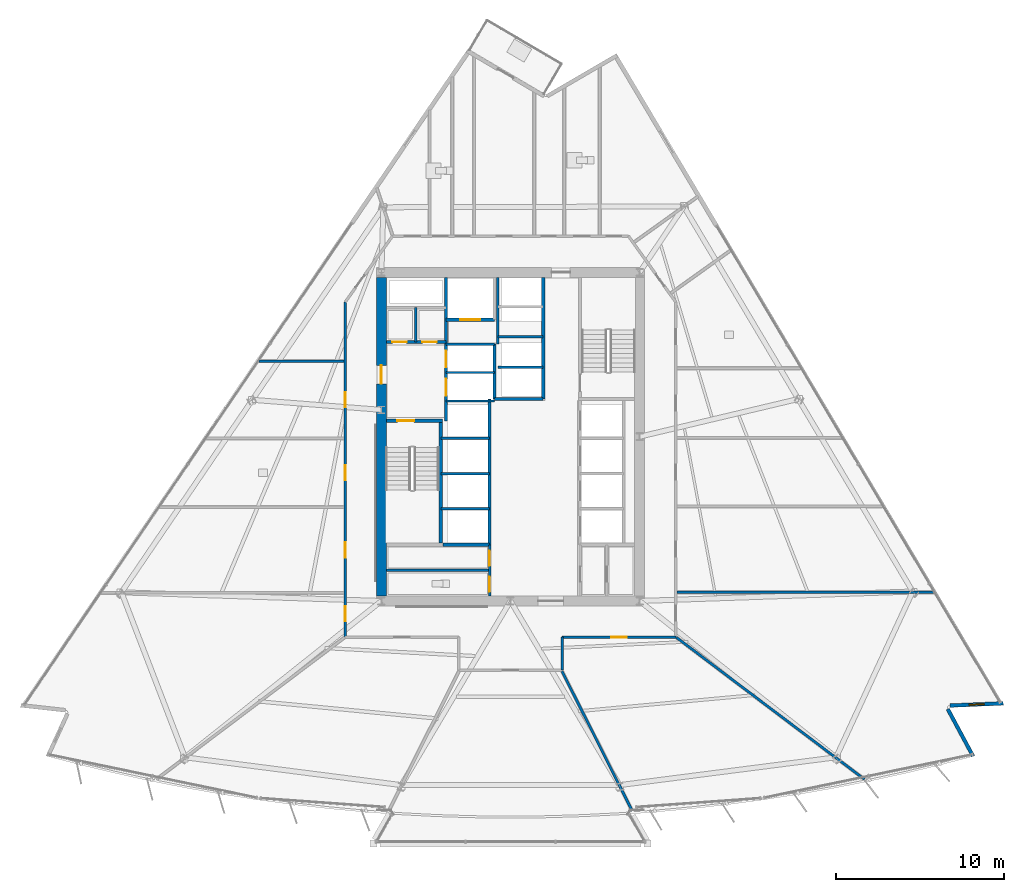
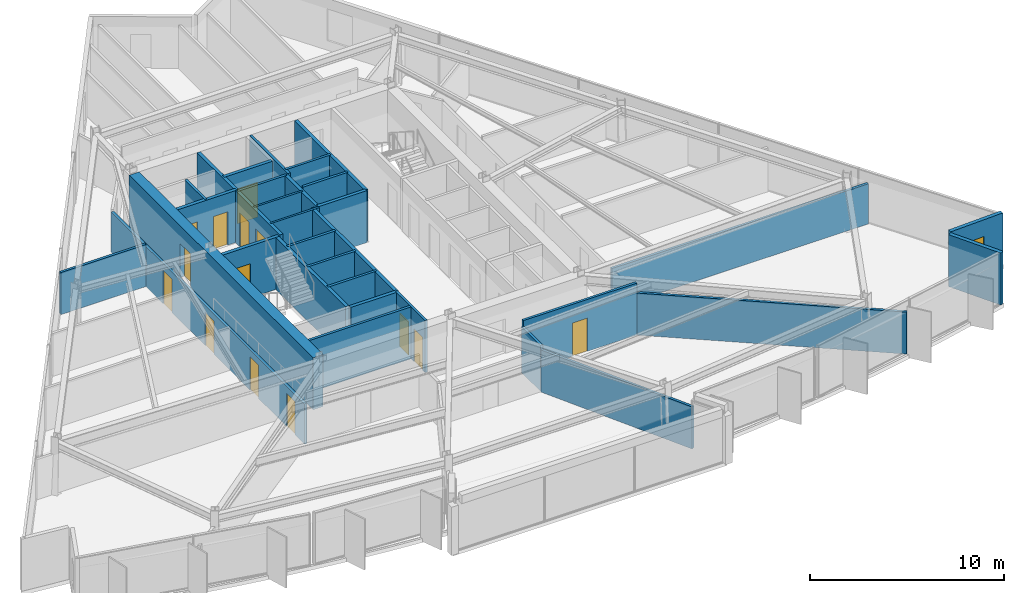
# One storey, part 9 of 16: 32 walls, 14 doors, 1 window, 15 openings.
"""IFC4 building model written with IfcOpenShell, lengths in metres."""

from ifc_helpers import new_model, si_unit, direction, frame, frame_2d, origin, place, context, subcontext, project, spatial, rectangle, extrude, material, layer, layer_set, type_object, element, fill, save


model = new_model("IFC4")

# Units and contexts
model_context = context("Model", 3, precision=1e-05, world=origin(), true_north=direction((0.0, 1.0)))
body_context = subcontext(model_context, "Body", "Model", "MODEL_VIEW")
ifc_project = project(units=[si_unit("LENGTHUNIT", "METRE"), si_unit("AREAUNIT", "SQUARE_METRE"), si_unit("VOLUMEUNIT", "CUBIC_METRE"), si_unit("PLANEANGLEUNIT", "RADIAN"), si_unit("MASSUNIT", "GRAM", prefix="KILO")], contexts=[model_context])

# Site, building, storey
site_placement = place(None, origin())
site = spatial("IfcSite", under=ifc_project, at=site_placement, CompositionType="ELEMENT")
building_placement = place(site_placement, origin())
building = spatial("IfcBuilding", under=site, at=building_placement, Name="Savorim Split Tower", CompositionType="ELEMENT")
storey_placement = place(building_placement, frame((0.0, 0.0, 69.60009765625)))
storey = spatial("IfcBuildingStorey", under=building, at=storey_placement, Name="L18", CompositionType="ELEMENT", Elevation=69.60009765625)

# Wall, opening, door
ifc_material_1 = material(Name="Concrete C60/75", Category="concrete")
ifc_layer_1 = layer(ifc_material_1, 0.60009765625)
ifc_layer_set_1 = layer_set([ifc_layer_1], Name="WAL-COR-SH600")
wall_type_1 = type_object("IfcWallType", Name="WAL-COR-SH600", PredefinedType="SHEAR", material=ifc_layer_set_1)
wall_1_placement = place(storey_placement, frame((-7.699951171875, -9.10009765625, 0.0), z_axis=(0.0, 0.0, 1.0), x_axis=(0.0, 1.0, 0.0)))
wall_1 = element("IfcWall", 1, at=wall_1_placement, inside=storey, type_object=wall_type_1, Name="L18 Offset Core West Shear Wall", PredefinedType="SHEAR", context=body_context, shape_type="SweptSolid", body=[
    extrude(rectangle(XDim=19.0, YDim=0.60009765625, at=frame_2d((9.5, 0.0))), origin(), (0.0, 0.0, 1.0), 3.27978515625),
])
opening_1_placement = place(wall_1_placement, frame((12.64990234375, 0.0, 0.0)))
opening_1 = element("IfcOpeningElement", 2, at=opening_1_placement, cuts=wall_1, Name="Opening DI-03", PredefinedType="OPENING", context=body_context, shape_type="SweptSolid", body=[
    extrude(rectangle(XDim=1.10009765625, YDim=2.14990234375, at=frame_2d((0.550048828125, 1.074951171875))), frame((0.0, 0.31005859375, 0.0), z_axis=(0.0, -1.0, 0.0), x_axis=(1.0, 0.0, 0.0)), (0.0, 0.0, 1.0), 0.6201171875),
])
ifc_material_2 = material(Name="Timber Fire Door Leaf", Category="wood")
door_type_1 = type_object("IfcDoorType", Name="DOR-FIR-1100", OperationType="NOTDEFINED", PredefinedType="DOOR", material=ifc_material_2)
door_1_placement = place(opening_1_placement, origin())
door_1 = element("IfcDoor", 3, at=door_1_placement, inside=storey, type_object=door_type_1, Name="DOR-L18-COR-FFLOB - L18 Firefighting Lobby Corridor Door", OperationType="SINGLE_SWING_RIGHT", OverallHeight=2.14990234375, OverallWidth=1.10009765625, PredefinedType="DOOR", context=body_context, shape_type="SweptSolid", body=[
    extrude(rectangle(XDim=1.10009765625, YDim=2.14990234375, at=frame_2d((0.550048828125, 1.074951171875))), frame((0.0, 0.02490234375, 0.0), z_axis=(0.0, -1.0, 0.0), x_axis=(1.0, 0.0, 0.0)), (0.0, 0.0, 1.0), 0.050048828125),
])
fill(opening_1, door_1)

# Wall
ifc_material_3 = material(Name="Precast concrete C40/50", Category="concrete")
ifc_layer_2 = layer(ifc_material_3, 0.219970703125)
ifc_layer_set_2 = layer_set([ifc_layer_2], Name="WAL-EXT-CRN220")
wall_type_2 = type_object("IfcWallType", Name="WAL-EXT-CRN220", PredefinedType="SOLIDWALL", material=ifc_layer_set_2)
wall_2_placement = place(storey_placement, frame((26.085693359375, -15.852294921875, 0.0), z_axis=(0.0, 0.0, 1.0), x_axis=(0.472775670204, -0.881182821929, 0.0)))
element("IfcWall", 4, at=wall_2_placement, inside=storey, type_object=wall_type_2, Name="L18 Notched Corner Facade Wall SE1", PredefinedType="SOLIDWALL", context=body_context, shape_type="SweptSolid", body=[
    extrude(rectangle(XDim=3.189697265625, YDim=0.219970703125, at=frame_2d((1.5947265625, 0.0))), origin(), (0.0, 0.0, 1.0), 3.27978515625),
])

# Wall, opening, window
wall_3_placement = place(storey_placement, frame((29.39111328125, -15.50341796875, 0.0), z_axis=(0.0, 0.0, 1.0), x_axis=(-0.999095632957, -0.042519597906, 0.0)))
wall_3 = element("IfcWall", 5, at=wall_3_placement, inside=storey, type_object=wall_type_2, Name="L18 Notched Corner Facade Wall SE", PredefinedType="SOLIDWALL", context=body_context, shape_type="SweptSolid", body=[
    extrude(rectangle(XDim=3.186767578125, YDim=0.219970703125, at=frame_2d((1.59326171875, 0.0))), origin(), (0.0, 0.0, 1.0), 3.27978515625),
])
opening_2_placement = place(wall_3_placement, frame((1.143310546875, 0.0, 0.6201171875)))
opening_2 = element("IfcOpeningElement", 6, at=opening_2_placement, cuts=wall_3, Name="Opening WN-10", PredefinedType="OPENING", context=body_context, shape_type="SweptSolid", body=[
    extrude(rectangle(XDim=0.89990234375, YDim=1.60009765625, at=frame_2d((0.449951171875, 0.800048828125))), frame((0.0, 0.119873046875, 0.0), z_axis=(0.0, -1.0, 0.0), x_axis=(1.0, 0.0, 0.0)), (0.0, 0.0, 1.0), 0.239990234375),
])
ifc_material_4 = material(Name="Low-E Operable Double Glazing", Category="glass")
window_type = type_object("IfcWindowType", Name="WIN-TWR-900x1600", PartitioningType="SINGLE_PANEL", PredefinedType="WINDOW", material=ifc_material_4)
window_placement = place(opening_2_placement, origin())
window = element("IfcWindow", 7, at=window_placement, inside=storey, type_object=window_type, Name="L18 Operable Corner Window SE", OverallHeight=1.60009765625, OverallWidth=0.89990234375, PartitioningType="SINGLE_PANEL", PredefinedType="WINDOW", context=body_context, shape_type="SweptSolid", body=[
    extrude(rectangle(XDim=0.89990234375, YDim=1.60009765625, at=frame_2d((0.449951171875, 0.800048828125))), frame((0.0, 0.030029296875, 0.0), z_axis=(0.0, -1.0, 0.0), x_axis=(1.0, 0.0, 0.0)), (0.0, 0.0, 1.0), 0.06005859375),
])
fill(opening_2, window)

# Wall, opening, door
ifc_material_5 = material(Name="Concrete C50/60", Category="concrete")
ifc_layer_3 = layer(ifc_material_5, 0.199951171875)
ifc_layer_set_3 = layer_set([ifc_layer_3], Name="WAL-INT-RC200")
wall_type_3 = type_object("IfcWallType", Name="WAL-INT-RC200", PredefinedType="SOLIDWALL", material=ifc_layer_set_3)
wall_4_placement = place(storey_placement, frame((-7.39990234375, 1.35009765625, 0.0), z_axis=(0.0, 0.0, 1.0), x_axis=(1.0, 0.0, 0.0)))
wall_4 = element("IfcWall", 8, at=wall_4_placement, inside=storey, type_object=wall_type_3, Name="L18 Structural Shaft Wall W-L18-CR01", PredefinedType="SOLIDWALL", context=body_context, shape_type="SweptSolid", body=[
    extrude(rectangle(XDim=3.349853515625, YDim=0.199951171875, at=frame_2d((1.6748046875, 0.0))), origin(), (0.0, 0.0, 1.0), 3.27978515625),
])
opening_3_placement = place(wall_4_placement, frame((0.64990234375, 0.0, 0.0)))
opening_3 = element("IfcOpeningElement", 9, at=opening_3_placement, cuts=wall_4, Name="Opening DI-04", PredefinedType="OPENING", context=body_context, shape_type="SweptSolid", body=[
    extrude(rectangle(XDim=1.0, YDim=2.14990234375, at=frame_2d((0.5, 1.074951171875))), frame((0.0, 0.10986328125, 0.0), z_axis=(0.0, -1.0, 0.0), x_axis=(1.0, 0.0, 0.0)), (0.0, 0.0, 1.0), 0.219970703125),
])
door_type_2 = type_object("IfcDoorType", Name="DOR-FIR-1000", OperationType="NOTDEFINED", PredefinedType="DOOR", material=ifc_material_2)
door_2_placement = place(opening_3_placement, origin())
door_2 = element("IfcDoor", 10, at=door_2_placement, inside=storey, type_object=door_type_2, Name="DR-L18-ST1 - L18 Stair ST-1 Enclosure Door", OperationType="SINGLE_SWING_LEFT", OverallHeight=2.14990234375, OverallWidth=1.0, PredefinedType="DOOR", context=body_context, shape_type="SweptSolid", body=[
    extrude(rectangle(XDim=1.0, YDim=2.14990234375, at=frame_2d((0.5, 1.074951171875))), frame((0.0, 0.02490234375, 0.0), z_axis=(0.0, -1.0, 0.0), x_axis=(1.0, 0.0, 0.0)), (0.0, 0.0, 1.0), 0.050048828125),
])
fill(opening_3, door_2)

# Wall
wall_5_placement = place(storey_placement, frame((-4.14990234375, -5.949951171875, 0.0), z_axis=(0.0, 0.0, 1.0), x_axis=(0.0, 1.0, 0.0)))
element("IfcWall", 11, at=wall_5_placement, inside=storey, type_object=wall_type_3, Name="L18 Structural Shaft Wall W-L18-CR02", PredefinedType="SOLIDWALL", context=body_context, shape_type="SweptSolid", body=[
    extrude(rectangle(XDim=7.199951171875, YDim=0.199951171875, at=frame_2d((3.60009765625, 0.0))), origin(), (0.0, 0.0, 1.0), 3.27978515625),
])

# Wall, openings, doors
wall_6_placement = place(storey_placement, frame((-3.85009765625, 1.35009765625, 0.0), z_axis=(0.0, 0.0, 1.0), x_axis=(0.0, 1.0, 0.0)))
wall_6 = element("IfcWall", 12, at=wall_6_placement, inside=storey, type_object=wall_type_3, Name="L18 Partition W-L18-CR03", PredefinedType="SOLIDWALL", context=body_context, shape_type="SweptSolid", body=[
    extrude(rectangle(XDim=8.544921875, YDim=0.199951171875, at=frame_2d((4.2724609375, 0.0))), origin(), (0.0, 0.0, 1.0), 3.27978515625),
])
opening_4_placement = place(wall_6_placement, frame((1.5, 0.0, 0.0)))
opening_4 = element("IfcOpeningElement", 13, at=opening_4_placement, cuts=wall_6, Name="Opening LD-FFL", PredefinedType="OPENING", context=body_context, shape_type="SweptSolid", body=[
    extrude(rectangle(XDim=1.0, YDim=2.14990234375, at=frame_2d((0.5, 1.074951171875))), frame((0.0, 0.10986328125, 0.0), z_axis=(0.0, -1.0, 0.0), x_axis=(1.0, 0.0, 0.0)), (0.0, 0.0, 1.0), 0.219970703125),
])
opening_5_placement = place(wall_6_placement, frame((3.179931640625, 0.0, 0.0)))
opening_5 = element("IfcOpeningElement", 14, at=opening_5_placement, cuts=wall_6, Name="Opening LD-FFL", PredefinedType="OPENING", context=body_context, shape_type="SweptSolid", body=[
    extrude(rectangle(XDim=1.0, YDim=2.14990234375, at=frame_2d((0.5, 1.074951171875))), frame((0.0, 0.10986328125, 0.0), z_axis=(0.0, -1.0, 0.0), x_axis=(1.0, 0.0, 0.0)), (0.0, 0.0, 1.0), 0.219970703125),
])
ifc_material_6 = material(Name="Charcoal Anodised Aluminium", Category="aluminium")
door_type_3 = type_object("IfcDoorType", Name="DOR-SLD-LD1000", OperationType="NOTDEFINED", PredefinedType="DOOR", material=ifc_material_6)
door_3_placement = place(opening_4_placement, origin())
door_3 = element("IfcDoor", 15, at=door_3_placement, inside=storey, type_object=door_type_3, Name="DR-L18-LD-FFL1 - L18 Firefighting Lift FFL-1 Sliding Landing Door", OperationType="DOUBLE_DOOR_SLIDING", OverallHeight=2.14990234375, OverallWidth=1.0, PredefinedType="DOOR", context=body_context, shape_type="SweptSolid", body=[
    extrude(rectangle(XDim=1.0, YDim=2.14990234375, at=frame_2d((0.5, 1.074951171875))), frame((0.0, 0.02490234375, 0.0), z_axis=(0.0, -1.0, 0.0), x_axis=(1.0, 0.0, 0.0)), (0.0, 0.0, 1.0), 0.050048828125),
])
fill(opening_4, door_3)
door_4_placement = place(opening_5_placement, origin())
door_4 = element("IfcDoor", 16, at=door_4_placement, inside=storey, type_object=door_type_3, Name="DR-L18-LD-FFL2 - L18 Firefighting Lift FFL-2 Sliding Landing Door", OperationType="DOUBLE_DOOR_SLIDING", OverallHeight=2.14990234375, OverallWidth=1.0, PredefinedType="DOOR", context=body_context, shape_type="SweptSolid", body=[
    extrude(rectangle(XDim=1.0, YDim=2.14990234375, at=frame_2d((0.5, 1.074951171875))), frame((0.0, 0.02490234375, 0.0), z_axis=(0.0, -1.0, 0.0), x_axis=(1.0, 0.0, 0.0)), (0.0, 0.0, 1.0), 0.050048828125),
])
fill(opening_5, door_4)

wall_7_placement = place(storey_placement, frame((-7.39501953125, 6.050048828125, 0.0), z_axis=(0.0, 0.0, 1.0), x_axis=(1.0, 0.0, 0.0)))
wall_7 = element("IfcWall", 17, at=wall_7_placement, inside=storey, type_object=wall_type_3, Name="L18 Partition W-L18-CR04", PredefinedType="SOLIDWALL", context=body_context, shape_type="SweptSolid", body=[
    extrude(rectangle(XDim=3.544921875, YDim=0.199951171875, at=frame_2d((1.7724609375, 0.0))), origin(), (0.0, 0.0, 1.0), 3.27978515625),
])
opening_6_placement = place(wall_7_placement, frame((0.344970703125, 0.0, 0.0)))
opening_6 = element("IfcOpeningElement", 18, at=opening_6_placement, cuts=wall_7, Name="Opening DI-12", PredefinedType="OPENING", context=body_context, shape_type="SweptSolid", body=[
    extrude(rectangle(XDim=0.85009765625, YDim=2.10009765625, at=frame_2d((0.425048828125, 1.050048828125))), frame((0.0, 0.10986328125, 0.0), z_axis=(0.0, -1.0, 0.0), x_axis=(1.0, 0.0, 0.0)), (0.0, 0.0, 1.0), 0.219970703125),
])
opening_7_placement = place(wall_7_placement, frame((2.14501953125, 0.0, 0.0)))
opening_7 = element("IfcOpeningElement", 19, at=opening_7_placement, cuts=wall_7, Name="Opening DI-12", PredefinedType="OPENING", context=body_context, shape_type="SweptSolid", body=[
    extrude(rectangle(XDim=0.85009765625, YDim=2.10009765625, at=frame_2d((0.425048828125, 1.050048828125))), frame((0.0, 0.10986328125, 0.0), z_axis=(0.0, -1.0, 0.0), x_axis=(1.0, 0.0, 0.0)), (0.0, 0.0, 1.0), 0.219970703125),
])
ifc_material_7 = material(Name="Galvanised Painted Steel Balustrade", Category="steel")
door_type_4 = type_object("IfcDoorType", Name="DOR-RIS-850", OperationType="NOTDEFINED", PredefinedType="DOOR", material=ifc_material_7)
door_5_placement = place(opening_6_placement, origin())
door_5 = element("IfcDoor", 20, at=door_5_placement, inside=storey, type_object=door_type_4, Name="DR-L18-ELR - L18 Electrical Riser Access Door", OperationType="SINGLE_SWING_RIGHT", OverallHeight=2.10009765625, OverallWidth=0.85009765625, PredefinedType="DOOR", context=body_context, shape_type="SweptSolid", body=[
    extrude(rectangle(XDim=0.85009765625, YDim=2.10009765625, at=frame_2d((0.425048828125, 1.050048828125))), frame((0.0, 0.02490234375, 0.0), z_axis=(0.0, -1.0, 0.0), x_axis=(1.0, 0.0, 0.0)), (0.0, 0.0, 1.0), 0.050048828125),
])
fill(opening_6, door_5)
door_6_placement = place(opening_7_placement, origin())
door_6 = element("IfcDoor", 21, at=door_6_placement, inside=storey, type_object=door_type_4, Name="DR-L18-TLR - L18 Telecom Riser Access Door", OperationType="SINGLE_SWING_LEFT", OverallHeight=2.10009765625, OverallWidth=0.85009765625, PredefinedType="DOOR", context=body_context, shape_type="SweptSolid", body=[
    extrude(rectangle(XDim=0.85009765625, YDim=2.10009765625, at=frame_2d((0.425048828125, 1.050048828125))), frame((0.0, 0.02490234375, 0.0), z_axis=(0.0, -1.0, 0.0), x_axis=(1.0, 0.0, 0.0)), (0.0, 0.0, 1.0), 0.050048828125),
])
fill(opening_7, door_6)

# Wall
wall_8_placement = place(storey_placement, frame((-0.949951171875, 2.64990234375, 0.0), z_axis=(0.0, 0.0, 1.0), x_axis=(0.0, 1.0, 0.0)))
element("IfcWall", 22, at=wall_8_placement, inside=storey, type_object=wall_type_3, Name="L18 Partition W-L18-FFLW", PredefinedType="SOLIDWALL", context=body_context, shape_type="SweptSolid", body=[
    extrude(rectangle(XDim=3.27001953125, YDim=0.199951171875, at=frame_2d((1.635009765625, 0.0))), origin(), (0.0, 0.0, 1.0), 3.27978515625),
])

# Wall, opening, door
wall_9_placement = place(storey_placement, frame((-3.85009765625, 7.3798828125, 0.0), z_axis=(0.0, 0.0, 1.0), x_axis=(1.0, 0.0, 0.0)))
wall_9 = element("IfcWall", 23, at=wall_9_placement, inside=storey, type_object=wall_type_3, Name="L18 Partition W-L18-SVLS", PredefinedType="SOLIDWALL", context=body_context, shape_type="SweptSolid", body=[
    extrude(rectangle(XDim=2.900146484375, YDim=0.199951171875, at=frame_2d((1.4501953125, 0.0))), origin(), (0.0, 0.0, 1.0), 3.27978515625),
])
opening_8_placement = place(wall_9_placement, frame((0.85009765625, 0.0, 0.0)))
opening_8 = element("IfcOpeningElement", 24, at=opening_8_placement, cuts=wall_9, Name="Opening LD-SV", PredefinedType="OPENING", context=body_context, shape_type="SweptSolid", body=[
    extrude(rectangle(XDim=1.199951171875, YDim=2.199951171875, at=frame_2d((0.60009765625, 1.10009765625))), frame((0.0, 0.10986328125, 0.0), z_axis=(0.0, -1.0, 0.0), x_axis=(1.0, 0.0, 0.0)), (0.0, 0.0, 1.0), 0.219970703125),
])
door_type_5 = type_object("IfcDoorType", Name="DOR-SLD-SV1200", OperationType="NOTDEFINED", PredefinedType="DOOR", material=ifc_material_6)
door_7_placement = place(opening_8_placement, origin())
door_7 = element("IfcDoor", 25, at=door_7_placement, inside=storey, type_object=door_type_5, Name="DR-L18-LD-SVL1 - L18 Service Lift SVL-1 Sliding Landing Door", OperationType="DOUBLE_DOOR_SLIDING", OverallHeight=2.199951171875, OverallWidth=1.199951171875, PredefinedType="DOOR", context=body_context, shape_type="SweptSolid", body=[
    extrude(rectangle(XDim=1.199951171875, YDim=2.199951171875, at=frame_2d((0.60009765625, 1.10009765625))), frame((0.0, 0.02490234375, 0.0), z_axis=(0.0, -1.0, 0.0), x_axis=(1.0, 0.0, 0.0)), (0.0, 0.0, 1.0), 0.050048828125),
])
fill(opening_8, door_7)

# Walls
wall_10_placement = place(storey_placement, frame((-1.25, -6.050048828125, 0.0), z_axis=(0.0, 0.0, 1.0), x_axis=(0.0, 1.0, 0.0)))
element("IfcWall", 26, at=wall_10_placement, inside=storey, type_object=wall_type_3, Name="L18 Partition W-L18-B2FRONT", PredefinedType="SOLIDWALL", context=body_context, shape_type="SweptSolid", body=[
    extrude(rectangle(XDim=8.699951171875, YDim=0.199951171875, at=frame_2d((4.35009765625, 0.0))), origin(), (0.0, 0.0, 1.0), 3.27978515625),
])
wall_11_placement = place(storey_placement, frame((1.949951171875, 2.64990234375, 0.0), z_axis=(0.0, 0.0, 1.0), x_axis=(0.0, 1.0, 0.0)))
element("IfcWall", 27, at=wall_11_placement, inside=storey, type_object=wall_type_3, Name="L18 Partition W-L18-B3FRONT", PredefinedType="SOLIDWALL", context=body_context, shape_type="SweptSolid", body=[
    extrude(rectangle(XDim=7.2451171875, YDim=0.199951171875, at=frame_2d((3.62255859375, 0.0))), origin(), (0.0, 0.0, 1.0), 3.27978515625),
])
wall_12_placement = place(storey_placement, frame((-0.949951171875, 2.64990234375, 0.0), z_axis=(0.0, 0.0, 1.0), x_axis=(1.0, 0.0, 0.0)))
element("IfcWall", 28, at=wall_12_placement, inside=storey, type_object=wall_type_3, Name="L18 Partition W-L18-B3SOUTH", PredefinedType="SOLIDWALL", context=body_context, shape_type="SweptSolid", body=[
    extrude(rectangle(XDim=2.89990234375, YDim=0.199951171875, at=frame_2d((1.449951171875, 0.0))), origin(), (0.0, 0.0, 1.0), 3.27978515625),
])
wall_13_placement = place(storey_placement, frame((-4.0400390625, -6.050048828125, 0.0), z_axis=(0.0, 0.0, 1.0), x_axis=(1.0, 0.0, 0.0)))
element("IfcWall", 29, at=wall_13_placement, inside=storey, type_object=wall_type_3, Name="L18 Partition W-L18-KSEP-W2", PredefinedType="SOLIDWALL", context=body_context, shape_type="SweptSolid", body=[
    extrude(rectangle(XDim=2.7900390625, YDim=0.199951171875, at=frame_2d((1.39501953125, 0.0))), origin(), (0.0, 0.0, 1.0), 3.27978515625),
])
ifc_material_8 = material(Name="Acoustic Gypsum Partition Board")
ifc_layer_4 = layer(ifc_material_8, 0.1201171875)
ifc_layer_set_4 = layer_set([ifc_layer_4], Name="WAL-PAR-120")
wall_type_4 = type_object("IfcWallType", Name="WAL-PAR-120", PredefinedType="PARTITIONING", material=ifc_layer_set_4)
for number, where, z_axis, x_axis, name in (
    (30, (-3.85009765625, 2.52001953125, 0.0), (0.0, 0.0, 1.0), (1.0, 0.0, 0.0), "L18 Partition W-L18-FFLD0"),
    (31, (-3.85009765625, 4.219970703125, 0.0), (0.0, 0.0, 1.0), (1.0, 0.0, 0.0), "L18 Partition W-L18-FFLD1"),
):
    element("IfcWall", number, at=place(storey_placement, frame(where, z_axis=z_axis, x_axis=x_axis)), inside=storey, type_object=wall_type_4, Name=name, PredefinedType="PARTITIONING", context=body_context, shape_type="SweptSolid", body=[
        extrude(rectangle(XDim=2.900146484375, YDim=0.1201171875, at=frame_2d((1.4501953125, 0.0))), origin(), (0.0, 0.0, 1.0), 3.27978515625),
    ])
ifc_layer_5 = layer(ifc_material_8, 0.14990234375)
ifc_layer_set_5 = layer_set([ifc_layer_5], Name="WAL-PAR-150")
wall_type_5 = type_object("IfcWallType", Name="WAL-PAR-150", PredefinedType="PARTITIONING", material=ifc_layer_set_5)
wall_14_placement = place(storey_placement, frame((-5.64990234375, 6.050048828125, 0.0), z_axis=(0.0, 0.0, 1.0), x_axis=(0.0, 1.0, 0.0)))
element("IfcWall", 32, at=wall_14_placement, inside=storey, type_object=wall_type_5, Name="L18 Partition W-L18-CR06", PredefinedType="PARTITIONING", context=body_context, shape_type="SweptSolid", body=[
    extrude(rectangle(XDim=2.050048828125, YDim=0.14990234375, at=frame_2d((1.02490234375, 0.0))), origin(), (0.0, 0.0, 1.0), 3.27978515625),
])
wall_15_placement = place(storey_placement, frame((-3.85009765625, 5.89990234375, 0.0), z_axis=(0.0, 0.0, 1.0), x_axis=(1.0, 0.0, 0.0)))
element("IfcWall", 33, at=wall_15_placement, inside=storey, type_object=wall_type_5, Name="L18 Partition W-L18-FFLD2", PredefinedType="PARTITIONING", context=body_context, shape_type="SweptSolid", body=[
    extrude(rectangle(XDim=2.900146484375, YDim=0.14990234375, at=frame_2d((1.4501953125, 0.0))), origin(), (0.0, 0.0, 1.0), 3.27978515625),
])
for number, where, z_axis, x_axis, name in (
    (34, (-4.14990234375, -3.89990234375, 0.0), (0.0, 0.0, 1.0), (1.0, 0.0, 0.0), "L18 Partition W-L18-B2DIV1"),
    (35, (-4.14990234375, -1.800048828125, 0.0), (0.0, 0.0, 1.0), (1.0, 0.0, 0.0), "L18 Partition W-L18-B2DIV2"),
    (36, (-4.14990234375, 0.300048828125, 0.0), (0.0, 0.0, 1.0), (1.0, 0.0, 0.0), "L18 Partition W-L18-B2DIV3"),
):
    element("IfcWall", number, at=place(storey_placement, frame(where, z_axis=z_axis, x_axis=x_axis)), inside=storey, type_object=wall_type_5, Name=name, PredefinedType="PARTITIONING", context=body_context, shape_type="SweptSolid", body=[
        extrude(rectangle(XDim=2.89990234375, YDim=0.14990234375, at=frame_2d((1.449951171875, 0.0))), origin(), (0.0, 0.0, 1.0), 3.27978515625),
    ])
wall_16_placement = place(storey_placement, frame((-0.75, 5.919921875, 0.0), z_axis=(0.0, 0.0, 1.0), x_axis=(0.0, 1.0, 0.0)))
element("IfcWall", 37, at=wall_16_placement, inside=storey, type_object=wall_type_5, Name="L18 Partition W-L18-B3WEST", PredefinedType="PARTITIONING", context=body_context, shape_type="SweptSolid", body=[
    extrude(rectangle(XDim=3.97509765625, YDim=0.14990234375, at=frame_2d((1.987548828125, 0.0))), origin(), (0.0, 0.0, 1.0), 3.27978515625),
])
for number, where, z_axis, x_axis, name in (
    (38, (-0.75, 4.550048828125, 0.0), (0.0, 0.0, 1.0), (1.0, 0.0, 0.0), "L18 Partition W-L18-B3DIV1"),
    (39, (-0.75, 6.35009765625, 0.0), (0.0, 0.0, 1.0), (1.0, 0.0, 0.0), "L18 Partition W-L18-B3DIV2"),
):
    element("IfcWall", number, at=place(storey_placement, frame(where, z_axis=z_axis, x_axis=x_axis)), inside=storey, type_object=wall_type_5, Name=name, PredefinedType="PARTITIONING", context=body_context, shape_type="SweptSolid", body=[
        extrude(rectangle(XDim=2.699951171875, YDim=0.14990234375, at=frame_2d((1.35009765625, 0.0))), origin(), (0.0, 0.0, 1.0), 3.27978515625),
    ])

# Wall, openings, doors
wall_17_placement = place(storey_placement, frame((-1.25, -9.094970703125, 0.0), z_axis=(0.0, 0.0, 1.0), x_axis=(0.0, 1.0, 0.0)))
wall_17 = element("IfcWall", 40, at=wall_17_placement, inside=storey, type_object=wall_type_5, Name="L18 Partition W-L18-KLOB-W", PredefinedType="PARTITIONING", context=body_context, shape_type="SweptSolid", body=[
    extrude(rectangle(XDim=3.044921875, YDim=0.14990234375, at=frame_2d((1.5224609375, 0.0))), origin(), (0.0, 0.0, 1.0), 3.27978515625),
])
opening_9_placement = place(wall_17_placement, frame((1.794921875, 0.0, 0.0)))
opening_9 = element("IfcOpeningElement", 41, at=opening_9_placement, cuts=wall_17, Name="Opening DI-06", PredefinedType="OPENING", context=body_context, shape_type="SweptSolid", body=[
    extrude(rectangle(XDim=0.89990234375, YDim=2.10009765625, at=frame_2d((0.449951171875, 1.050048828125))), frame((0.0, 0.0849609375, 0.0), z_axis=(0.0, -1.0, 0.0), x_axis=(1.0, 0.0, 0.0)), (0.0, 0.0, 1.0), 0.169921875),
])
opening_10_placement = place(wall_17_placement, frame((0.2451171875, 0.0, 0.0)))
opening_10 = element("IfcOpeningElement", 42, at=opening_10_placement, cuts=wall_17, Name="Opening DI-11", PredefinedType="OPENING", context=body_context, shape_type="SweptSolid", body=[
    extrude(rectangle(XDim=0.89990234375, YDim=2.10009765625, at=frame_2d((0.449951171875, 1.050048828125))), frame((0.0, 0.0849609375, 0.0), z_axis=(0.0, -1.0, 0.0), x_axis=(1.0, 0.0, 0.0)), (0.0, 0.0, 1.0), 0.169921875),
])
door_type_6 = type_object("IfcDoorType", Name="DOR-FIR-900", OperationType="NOTDEFINED", PredefinedType="DOOR", material=ifc_material_2)
door_8_placement = place(opening_9_placement, origin())
door_8 = element("IfcDoor", 43, at=door_8_placement, inside=storey, type_object=door_type_6, Name="DR-L18-K2CLN - L18 Cleaning Store Door", OperationType="SINGLE_SWING_LEFT", OverallHeight=2.10009765625, OverallWidth=0.89990234375, PredefinedType="DOOR", context=body_context, shape_type="SweptSolid", body=[
    extrude(rectangle(XDim=0.89990234375, YDim=2.10009765625, at=frame_2d((0.449951171875, 1.050048828125))), frame((0.0, 0.02490234375, 0.0), z_axis=(0.0, -1.0, 0.0), x_axis=(1.0, 0.0, 0.0)), (0.0, 0.0, 1.0), 0.050048828125),
])
fill(opening_9, door_8)
ifc_material_9 = material(Name="Oak Veneer Acoustic Door")
door_type_7 = type_object("IfcDoorType", Name="DOR-WC-900", OperationType="NOTDEFINED", PredefinedType="DOOR", material=ifc_material_9)
door_9_placement = place(opening_10_placement, origin())
door_9 = element("IfcDoor", 44, at=door_9_placement, inside=storey, type_object=door_type_7, Name="DR-L18-K2WC - L18 Core WC Door", OperationType="SINGLE_SWING_RIGHT", OverallHeight=2.10009765625, OverallWidth=0.89990234375, PredefinedType="DOOR", context=body_context, shape_type="SweptSolid", body=[
    extrude(rectangle(XDim=0.89990234375, YDim=2.10009765625, at=frame_2d((0.449951171875, 1.050048828125))), frame((0.0, 0.02490234375, 0.0), z_axis=(0.0, -1.0, 0.0), x_axis=(1.0, 0.0, 0.0)), (0.0, 0.0, 1.0), 0.050048828125),
])
fill(opening_10, door_9)

# Wall
wall_18_placement = place(storey_placement, frame((-7.39501953125, -7.580078125, 0.0), z_axis=(0.0, 0.0, 1.0), x_axis=(1.0, 0.0, 0.0)))
element("IfcWall", 45, at=wall_18_placement, inside=storey, type_object=wall_type_5, Name="L18 Partition W-L18-K2H", PredefinedType="PARTITIONING", context=body_context, shape_type="SweptSolid", body=[
    extrude(rectangle(XDim=6.14501953125, YDim=0.14990234375, at=frame_2d((3.072509765625, 0.0))), origin(), (0.0, 0.0, 1.0), 3.27978515625),
])

# Wall, openings, doors
wall_19_placement = place(storey_placement, frame((-9.860107421875, -11.56005859375, 0.0), z_axis=(0.0, 0.0, 1.0), x_axis=(0.0, 1.0, 0.0)))
wall_19 = element("IfcWall", 46, at=wall_19_placement, inside=storey, type_object=wall_type_5, Name="L18 Partition W-L18-COR-01", PredefinedType="PARTITIONING", context=body_context, shape_type="SweptSolid", body=[
    extrude(rectangle(XDim=19.98583984375, YDim=0.14990234375, at=frame_2d((9.992919921875, 0.0))), origin(), (0.0, 0.0, 1.0), 2.538818359375),
])
opening_11_placement = place(wall_19_placement, frame((9.359375, 0.0, 0.0)))
opening_11 = element("IfcOpeningElement", 47, at=opening_11_placement, cuts=wall_19, Name="Opening DI-06", PredefinedType="OPENING", context=body_context, shape_type="SweptSolid", body=[
    extrude(rectangle(XDim=0.89990234375, YDim=2.10009765625, at=frame_2d((0.449951171875, 1.050048828125))), frame((0.0, 0.0849609375, 0.0), z_axis=(0.0, -1.0, 0.0), x_axis=(1.0, 0.0, 0.0)), (0.0, 0.0, 1.0), 0.169921875),
])
opening_12_placement = place(wall_19_placement, frame((4.7490234375, 0.0, 0.0)))
opening_12 = element("IfcOpeningElement", 48, at=opening_12_placement, cuts=wall_19, Name="Opening DI-06", PredefinedType="OPENING", context=body_context, shape_type="SweptSolid", body=[
    extrude(rectangle(XDim=0.89990234375, YDim=2.10009765625, at=frame_2d((0.449951171875, 1.050048828125))), frame((0.0, 0.0849609375, 0.0), z_axis=(0.0, -1.0, 0.0), x_axis=(1.0, 0.0, 0.0)), (0.0, 0.0, 1.0), 0.169921875),
])
opening_13_placement = place(wall_19_placement, frame((0.958251953125, 0.0, 0.0)))
opening_13 = element("IfcOpeningElement", 49, at=opening_13_placement, cuts=wall_19, Name="Opening DI-06", PredefinedType="OPENING", context=body_context, shape_type="SweptSolid", body=[
    extrude(rectangle(XDim=0.89990234375, YDim=2.10009765625, at=frame_2d((0.449951171875, 1.050048828125))), frame((0.0, 0.0849609375, 0.0), z_axis=(0.0, -1.0, 0.0), x_axis=(1.0, 0.0, 0.0)), (0.0, 0.0, 1.0), 0.169921875),
])
opening_14_placement = place(wall_19_placement, frame((13.71337890625, 0.0, 0.0)))
opening_14 = element("IfcOpeningElement", 50, at=opening_14_placement, cuts=wall_19, Name="Opening DI-06", PredefinedType="OPENING", context=body_context, shape_type="SweptSolid", body=[
    extrude(rectangle(XDim=0.89990234375, YDim=2.10009765625, at=frame_2d((0.449951171875, 1.050048828125))), frame((0.0, 0.0849609375, 0.0), z_axis=(0.0, -1.0, 0.0), x_axis=(1.0, 0.0, 0.0)), (0.0, 0.0, 1.0), 0.169921875),
])
door_10_placement = place(opening_11_placement, origin())
door_10 = element("IfcDoor", 51, at=door_10_placement, inside=storey, type_object=door_type_6, Name="DR-L18-RM01 - L18 Shared Kitchen Entry Door", OperationType="SINGLE_SWING_RIGHT", OverallHeight=2.10009765625, OverallWidth=0.89990234375, PredefinedType="DOOR", context=body_context, shape_type="SweptSolid", body=[
    extrude(rectangle(XDim=0.89990234375, YDim=2.10009765625, at=frame_2d((0.449951171875, 1.050048828125))), frame((0.0, 0.02490234375, 0.0), z_axis=(0.0, -1.0, 0.0), x_axis=(1.0, 0.0, 0.0)), (0.0, 0.0, 1.0), 0.050048828125),
])
fill(opening_11, door_10)
door_11_placement = place(opening_12_placement, origin())
door_11 = element("IfcDoor", 52, at=door_11_placement, inside=storey, type_object=door_type_6, Name="DR-L18-RM02 - L18 Maker Workshop Entry Door", OperationType="SINGLE_SWING_LEFT", OverallHeight=2.10009765625, OverallWidth=0.89990234375, PredefinedType="DOOR", context=body_context, shape_type="SweptSolid", body=[
    extrude(rectangle(XDim=0.89990234375, YDim=2.10009765625, at=frame_2d((0.449951171875, 1.050048828125))), frame((0.0, 0.02490234375, 0.0), z_axis=(0.0, -1.0, 0.0), x_axis=(1.0, 0.0, 0.0)), (0.0, 0.0, 1.0), 0.050048828125),
])
fill(opening_12, door_11)
door_12_placement = place(opening_13_placement, origin())
door_12 = element("IfcDoor", 53, at=door_12_placement, inside=storey, type_object=door_type_6, Name="DR-L18-RM03 - L18 Co-Working Commons Entry Door", OperationType="SINGLE_SWING_RIGHT", OverallHeight=2.10009765625, OverallWidth=0.89990234375, PredefinedType="DOOR", context=body_context, shape_type="SweptSolid", body=[
    extrude(rectangle(XDim=0.89990234375, YDim=2.10009765625, at=frame_2d((0.449951171875, 1.050048828125))), frame((0.0, 0.02490234375, 0.0), z_axis=(0.0, -1.0, 0.0), x_axis=(1.0, 0.0, 0.0)), (0.0, 0.0, 1.0), 0.050048828125),
])
fill(opening_13, door_12)
door_13_placement = place(opening_14_placement, origin())
door_13 = element("IfcDoor", 54, at=door_13_placement, inside=storey, type_object=door_type_6, Name="DR-L18-RM21 - L18 Co-Working Commons Entry Door", OperationType="SINGLE_SWING_RIGHT", OverallHeight=2.10009765625, OverallWidth=0.89990234375, PredefinedType="DOOR", context=body_context, shape_type="SweptSolid", body=[
    extrude(rectangle(XDim=0.89990234375, YDim=2.10009765625, at=frame_2d((0.449951171875, 1.050048828125))), frame((0.0, 0.02490234375, 0.0), z_axis=(0.0, -1.0, 0.0), x_axis=(1.0, 0.0, 0.0)), (0.0, 0.0, 1.0), 0.050048828125),
])
fill(opening_14, door_13)

# Wall, opening, door
wall_20_placement = place(storey_placement, frame((9.860107421875, -11.56005859375, 0.0), z_axis=(0.0, 0.0, 1.0), x_axis=(-1.0, 0.0, 0.0)))
wall_20 = element("IfcWall", 55, at=wall_20_placement, inside=storey, type_object=wall_type_5, Name="L18 Partition W-L18-COR-06", PredefinedType="PARTITIONING", context=body_context, shape_type="SweptSolid", body=[
    extrude(rectangle(XDim=6.780029296875, YDim=0.14990234375, at=frame_2d((3.39013671875, 0.0))), origin(), (0.0, 0.0, 1.0), 3.27978515625),
])
opening_15_placement = place(wall_20_placement, frame((2.93994140625, 0.0, 0.0)))
opening_15 = element("IfcOpeningElement", 56, at=opening_15_placement, cuts=wall_20, Name="Opening DI-06", PredefinedType="OPENING", context=body_context, shape_type="SweptSolid", body=[
    extrude(rectangle(XDim=0.89990234375, YDim=2.10009765625, at=frame_2d((0.449951171875, 1.050048828125))), frame((0.0, 0.0849609375, 0.0), z_axis=(0.0, -1.0, 0.0), x_axis=(1.0, 0.0, 0.0)), (0.0, 0.0, 1.0), 0.169921875),
])
door_14_placement = place(opening_15_placement, origin())
door_14 = element("IfcDoor", 57, at=door_14_placement, inside=storey, type_object=door_type_6, Name="DR-L18-RM06 - L18 Maker Workshop Entry Door", OperationType="SINGLE_SWING_LEFT", OverallHeight=2.10009765625, OverallWidth=0.89990234375, PredefinedType="DOOR", context=body_context, shape_type="SweptSolid", body=[
    extrude(rectangle(XDim=0.89990234375, YDim=2.10009765625, at=frame_2d((0.449951171875, 1.050048828125))), frame((0.0, 0.02490234375, 0.0), z_axis=(0.0, -1.0, 0.0), x_axis=(1.0, 0.0, 0.0)), (0.0, 0.0, 1.0), 0.050048828125),
])
fill(opening_15, door_14)

# Walls
wall_21_placement = place(storey_placement, frame((3.080078125, -11.56005859375, 0.0), z_axis=(0.0, 0.0, 1.0), x_axis=(0.0, -1.0, 0.0)))
element("IfcWall", 58, at=wall_21_placement, inside=storey, type_object=wall_type_5, Name="L18 Partition W-L18-COR-07", PredefinedType="PARTITIONING", context=body_context, shape_type="SweptSolid", body=[
    extrude(rectangle(XDim=1.969970703125, YDim=0.14990234375, at=frame_2d((0.98486328125, 0.0))), origin(), (0.0, 0.0, 1.0), 2.89501953125),
])
wall_22_placement = place(storey_placement, frame((3.06591796875, -13.5732421875, 0.0), z_axis=(0.0, 0.0, 1.0), x_axis=(0.449176702064, -0.893442941839, 0.0)))
element("IfcWall", 59, at=wall_22_placement, inside=storey, type_object=wall_type_5, Name="L18 Partition W-L18-PRAD03", PredefinedType="PARTITIONING", context=body_context, shape_type="SweptSolid", body=[
    extrude(rectangle(XDim=9.34716796875, YDim=0.14990234375, at=frame_2d((4.673583984375, 0.0))), origin(), (0.0, 0.0, 1.0), 2.65478515625),
])
wall_23_placement = place(storey_placement, frame((9.887939453125, -11.568603515625, 0.0), z_axis=(0.0, 0.0, 1.0), x_axis=(0.79842261679, -0.602097438127, 0.0)))
element("IfcWall", 60, at=wall_23_placement, inside=storey, type_object=wall_type_5, Name="L18 Partition W-L18-PRAD04", PredefinedType="PARTITIONING", context=body_context, shape_type="SweptSolid", body=[
    extrude(rectangle(XDim=14.06591796875, YDim=0.14990234375, at=frame_2d((7.032958984375, 0.0))), origin(), (0.0, 0.0, 1.0), 2.65478515625),
])
wall_24_placement = place(storey_placement, frame((9.919921875, -8.873291015625, 0.0), z_axis=(0.0, 0.0, 1.0), x_axis=(1.0, 0.0, 0.0)))
element("IfcWall", 61, at=wall_24_placement, inside=storey, type_object=wall_type_5, Name="L18 Partition W-L18-PRAD05", PredefinedType="PARTITIONING", context=body_context, shape_type="SweptSolid", body=[
    extrude(rectangle(XDim=15.3056640625, YDim=0.14990234375, at=frame_2d((7.65283203125, 0.0))), origin(), (0.0, 0.0, 1.0), 2.538818359375),
])
wall_25_placement = place(storey_placement, frame((-9.919921875, 4.90869140625, 0.0), z_axis=(0.0, 0.0, 1.0), x_axis=(-1.0, 0.0, 0.0)))
element("IfcWall", 62, at=wall_25_placement, inside=storey, type_object=wall_type_5, Name="L18 Partition W-L18-SUB12", PredefinedType="PARTITIONING", context=body_context, shape_type="SweptSolid", body=[
    extrude(rectangle(XDim=5.085693359375, YDim=0.14990234375, at=frame_2d((2.54296875, 0.0))), origin(), (0.0, 0.0, 1.0), 2.65478515625),
])

save(model, "model.ifc")
